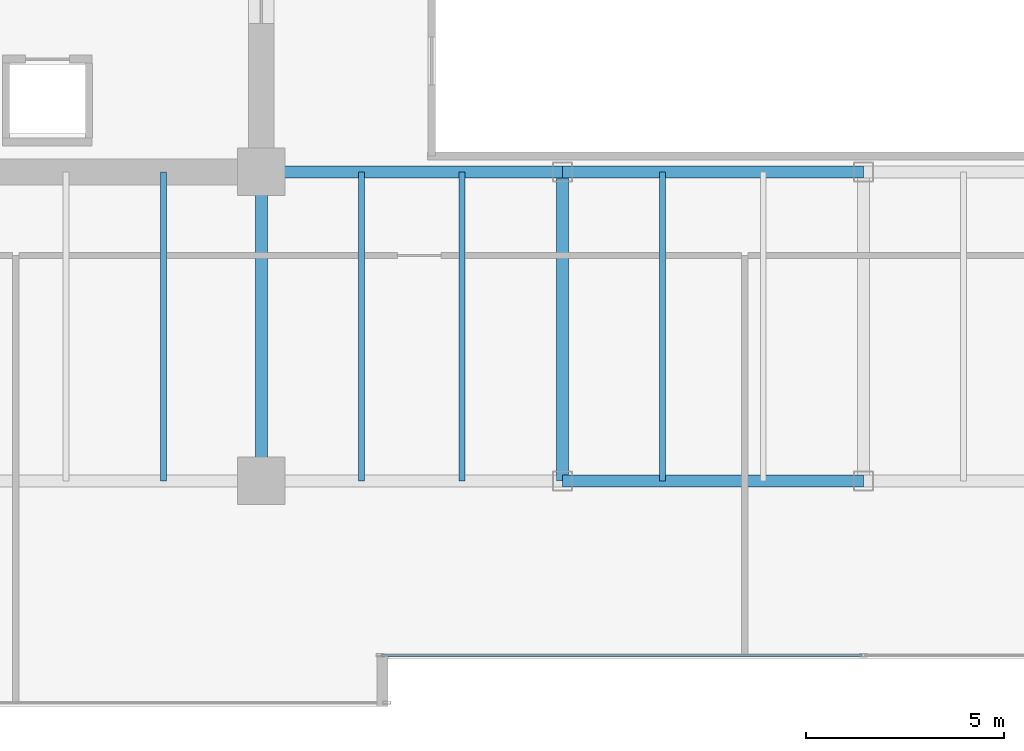
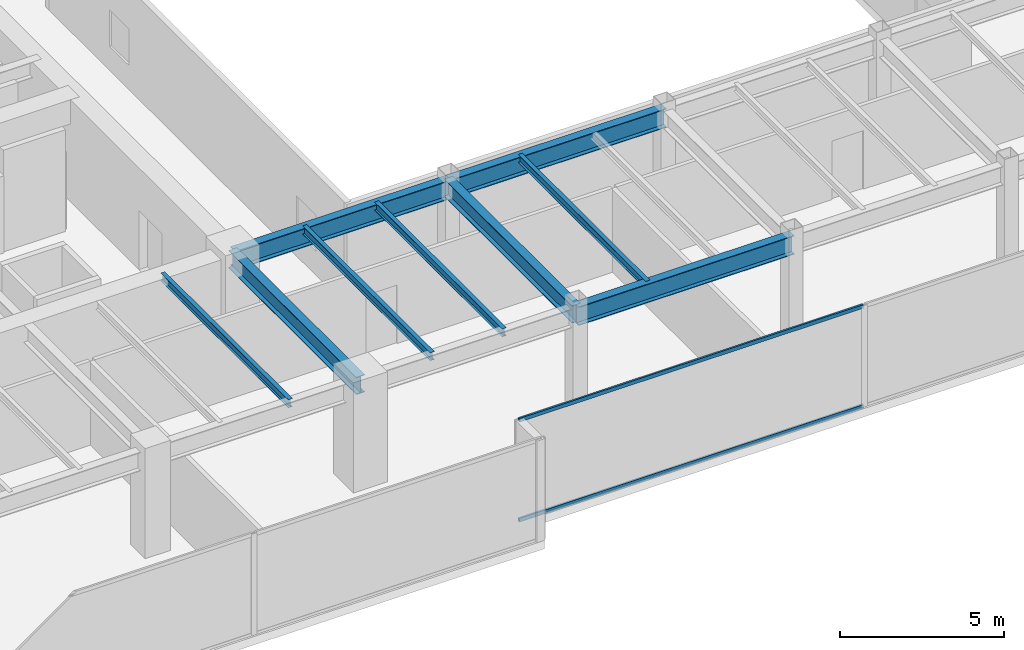
# One storey, part 5 of 30: 9 beams, 2 members, 1 element without a shape of its own.
"""IFC4 building model written with IfcOpenShell, lengths in metres."""

import ifcopenshell
import ifcopenshell.guid

model = None  # the IFC model being written
_history = None  # IfcOwnerHistory: only IFC2X3 demands one
_inside = {}  # id of a spatial element -> (the spatial element, [elements in it])
_under = {}  # id of a project, library or spatial element -> (it, [spatial elements below it])
_declared = {}  # id of a project -> (the project, [libraries it declares])
_typed = {}  # id of a type object -> (the type object, [elements of that type])
_made_of = {}  # id of a material, layer set ... -> (it, [elements and type objects made of it])


def new_model(schema):
    """Start an empty IFC model of exactly this schema.

    Asked for "IFC4X3", IfcOpenShell would pick the latest addendum, in which some entities
    have other attributes; the version numbers below select the first issue.
    IFC2X3 requires an IfcOwnerHistory on every rooted entity: one is made here for all.
    """
    global model, _history
    if schema == "IFC4X3":
        model = ifcopenshell.file(schema_version=(4, 3, 0, 0))
    else:
        model = ifcopenshell.file(schema=schema)
    _inside.clear()
    _under.clear()
    _declared.clear()
    _typed.clear()
    _made_of.clear()
    _history = None
    if model.schema == "IFC2X3":
        org = make("IfcOrganization", Name="unknown")
        user = make(
            "IfcPersonAndOrganization",
            ThePerson=make("IfcPerson", FamilyName="unknown"),
            TheOrganization=org,
        )
        app = make(
            "IfcApplication",
            ApplicationDeveloper=org,
            Version="unknown",
            ApplicationFullName="unknown",
            ApplicationIdentifier="unknown",
        )
        _history = make(
            "IfcOwnerHistory",
            OwningUser=user,
            OwningApplication=app,
            ChangeAction="ADDED",
            CreationDate=0,
        )
    return model


def make(cls, **values):
    """One entity of the class cls with the attributes given. An attribute that is None is left unset."""
    return model.create_entity(
        cls, **{name: value for name, value in values.items() if value is not None}
    )


def rooted(cls, **values):
    """An entity with a GlobalId (a new one), such as an element, a storey or a relation."""
    return make(cls, GlobalId=ifcopenshell.guid.new(), OwnerHistory=_history, **values)


def si_unit(unit_type, name, prefix=None):
    """IfcSIUnit, for example si_unit("LENGTHUNIT", "METRE", prefix="MILLI")."""
    return make("IfcSIUnit", UnitType=unit_type, Prefix=prefix, Name=name)


def assignment(units):
    """IfcUnitAssignment: the units of a project."""
    return None if units is None else make("IfcUnitAssignment", Units=units)


def point(xyz):
    """IfcCartesianPoint."""
    return None if xyz is None else make("IfcCartesianPoint", Coordinates=xyz)


def direction(xyz):
    """IfcDirection."""
    return None if xyz is None else make("IfcDirection", DirectionRatios=xyz)


def frame(location, z_axis=None, x_axis=None):
    """IfcAxis2Placement3D, a coordinate frame: its origin and axes. An axis left out is left unset."""
    return make(
        "IfcAxis2Placement3D",
        Location=point(location),
        Axis=direction(z_axis),
        RefDirection=direction(x_axis),
    )


def frame_2d(location, x_axis=None):
    """IfcAxis2Placement2D, a coordinate frame in the plane: its origin and x axis."""
    return make(
        "IfcAxis2Placement2D", Location=point(location), RefDirection=direction(x_axis)
    )


def origin():
    """The frame at (0, 0, 0) with its axes left unset."""
    return frame((0.0, 0.0, 0.0))


def origin_2d():
    """The frame at (0, 0) in the plane with its x axis left unset."""
    return frame_2d((0.0, 0.0))


def place(relative_to, where):
    """IfcLocalPlacement: puts the frame where relative to a parent placement (None: the world)."""
    return make(
        "IfcLocalPlacement", PlacementRelTo=relative_to, RelativePlacement=where
    )


def context(
    kind, dimensions, precision=None, world=None, true_north=None, identifier=None
):
    """IfcGeometricRepresentationContext, for example the 3D "Model" context."""
    return make(
        "IfcGeometricRepresentationContext",
        ContextIdentifier=identifier,
        ContextType=kind,
        CoordinateSpaceDimension=dimensions,
        Precision=precision,
        WorldCoordinateSystem=world,
        TrueNorth=true_north,
    )


def subcontext(parent, identifier, kind, view, scale=None):
    """IfcGeometricRepresentationSubContext, for example "Body" below "Model"."""
    return make(
        "IfcGeometricRepresentationSubContext",
        ContextIdentifier=identifier,
        ContextType=kind,
        ParentContext=parent,
        TargetScale=scale,
        TargetView=view,
    )


def project(units=None, contexts=None):
    """IfcProject with its units and contexts."""
    return rooted(
        "IfcProject",
        Name="project",
        RepresentationContexts=contexts,
        UnitsInContext=assignment(units),
    )


def spatial(cls, under=None, at=None, **own):
    """A site, building, storey or space (cls), placed at a placement, below another one or the project."""
    s = rooted(cls, ObjectPlacement=at, **own)
    if under is not None:
        _under.setdefault(under.id(), (under, []))[1].append(s)
    return s


def profile(cls, at=None, kind="AREA", **sizes):
    """A parametric profile (cls). Its sizes go by their IFC names, for example OverallWidth=200.0."""
    return make(cls, ProfileType=kind, Position=at, **sizes)


def hollow_rectangle(**sizes):
    """IfcRectangleHollowProfileDef."""
    return profile("IfcRectangleHollowProfileDef", **sizes)


def i_section(**sizes):
    """IfcIShapeProfileDef."""
    return profile("IfcIShapeProfileDef", **sizes)


def extrude(swept, where, along, depth):
    """IfcExtrudedAreaSolid: the profile swept, set in the frame where, extruded along a direction by depth."""
    return make(
        "IfcExtrudedAreaSolid",
        SweptArea=swept,
        Position=where,
        ExtrudedDirection=direction(along),
        Depth=depth,
    )


def shape(context_of_items, identifier, shape_type, items):
    """IfcShapeRepresentation: the items that make up one representation, for example the "Body"."""
    return make(
        "IfcShapeRepresentation",
        ContextOfItems=context_of_items,
        RepresentationIdentifier=identifier,
        RepresentationType=shape_type,
        Items=items,
    )


def source(mapping_origin, context_of_items, identifier, shape_type, items):
    """IfcRepresentationMap: a shape defined once, which mapped items show again and again."""
    return make(
        "IfcRepresentationMap",
        MappingOrigin=mapping_origin,
        MappedRepresentation=shape(context_of_items, identifier, shape_type, items),
    )


def transform(
    local_origin,
    x_axis=None,
    y_axis=None,
    z_axis=None,
    scale=None,
    scale2=None,
    scale3=None,
    uniform=True,
):
    """IfcCartesianTransformationOperator3D, or its non-uniform kind. x_axis, y_axis, z_axis: its Axis1, 2, 3."""
    if uniform:
        return make(
            "IfcCartesianTransformationOperator3D",
            Axis1=direction(x_axis),
            Axis2=direction(y_axis),
            LocalOrigin=point(local_origin),
            Scale=scale,
            Axis3=direction(z_axis),
        )
    return make(
        "IfcCartesianTransformationOperator3DnonUniform",
        Axis1=direction(x_axis),
        Axis2=direction(y_axis),
        LocalOrigin=point(local_origin),
        Scale=scale,
        Axis3=direction(z_axis),
        Scale2=scale2,
        Scale3=scale3,
    )


def mapped(mapping_source, mapping_target):
    """IfcMappedItem: shows the shape of a source again, moved by a transform."""
    return make(
        "IfcMappedItem", MappingSource=mapping_source, MappingTarget=mapping_target
    )


def material(Name=None, Category=None):
    """IfcMaterial."""
    return make("IfcMaterial", Name=Name, Category=Category)


def layer(
    of_material, thickness, ventilated=None, Name=None, Category=None, Priority=None
):
    """IfcMaterialLayer: one layer of a wall or slab, of a material (None: an air gap)."""
    return make(
        "IfcMaterialLayer",
        Material=of_material,
        LayerThickness=thickness,
        IsVentilated=ventilated,
        Name=Name,
        Category=Category,
        Priority=Priority,
    )


def layer_set(layers, Name=None):
    """IfcMaterialLayerSet."""
    return make("IfcMaterialLayerSet", MaterialLayers=layers, LayerSetName=Name)


def material_profile(
    of_material, cross_section, Name=None, Category=None, Priority=None
):
    """IfcMaterialProfile: a cross section and its material."""
    return make(
        "IfcMaterialProfile",
        Name=Name,
        Material=of_material,
        Profile=cross_section,
        Priority=Priority,
        Category=Category,
    )


def profile_set(profiles, Name=None, composite=None):
    """IfcMaterialProfileSet."""
    return make(
        "IfcMaterialProfileSet",
        Name=Name,
        MaterialProfiles=profiles,
        CompositeProfile=composite,
    )


def made_of(thing, what):
    """Note that an element or type object is made of a material, layer set ...; save() writes the relation."""
    if what is not None:
        _made_of.setdefault(what.id(), (what, []))[1].append(thing)
    return thing


def type_object(cls, material=None, **own):
    """A type object (cls), such as IfcWallType, which elements share."""
    return made_of(rooted(cls, **own), material)


def type_shapes(of_type, sources):
    """Give a type object the sources (RepresentationMaps) that its elements show as mapped items."""
    of_type.RepresentationMaps = sources


def element(
    cls,
    number,
    at=None,
    inside=None,
    cuts=None,
    type_object=None,
    material=None,
    context=None,
    identifier="Body",
    shape_type=None,
    held_by="IfcProductDefinitionShape",
    body=None,
    shapes=None,
    **own,
):
    """One element of the class cls, such as IfcWall. Its Tag is "e" and its number.

    at: its placement. inside: the storey or other place that contains it. cuts: it is an
    opening in that element (IfcRelVoidsElement). A single representation is given by context,
    identifier, shape_type and body (its items); several are given by shapes. held_by: the class
    of the entity that holds the representations. save() writes the other relations.
    """
    e = rooted(cls, Tag="e%d" % number, ObjectPlacement=at, **own)
    if body is not None:
        shapes = [shape(context, identifier, shape_type, body)]
    if shapes is not None:
        e.Representation = make(held_by, Representations=shapes)
    if inside is not None:
        _inside.setdefault(inside.id(), (inside, []))[1].append(e)
    if cuts is not None:
        rooted(
            "IfcRelVoidsElement", RelatingBuildingElement=cuts, RelatedOpeningElement=e
        )
    if type_object is not None:
        _typed.setdefault(type_object.id(), (type_object, []))[1].append(e)
    return made_of(e, material)


def aggregate(whole, parts):
    """IfcRelAggregates: a whole, such as a stair, and the parts it consists of."""
    return rooted("IfcRelAggregates", RelatingObject=whole, RelatedObjects=parts)


def save(model, path):
    """Write the relations noted so far, then the file.

    IfcRelAggregates (storeys below a building ...), IfcRelContainedInSpatialStructure (elements
    in a storey), IfcRelDefinesByType, IfcRelAssociatesMaterial and IfcRelDeclares: one each for
    every whole, place, type object, material and project.
    """
    for whole, parts in _under.values():
        aggregate(whole, parts)
    for where, things in _inside.values():
        rooted(
            "IfcRelContainedInSpatialStructure",
            RelatedElements=things,
            RelatingStructure=where,
        )
    for kind, things in _typed.values():
        rooted("IfcRelDefinesByType", RelatedObjects=things, RelatingType=kind)
    for what, things in _made_of.values():
        rooted("IfcRelAssociatesMaterial", RelatedObjects=things, RelatingMaterial=what)
    for by, libraries in _declared.values():
        rooted("IfcRelDeclares", RelatingContext=by, RelatedDefinitions=libraries)
    model.write(path)


model = new_model("IFC4")

# Units and contexts
model_context = context("Model", 3, precision=1e-05, world=origin(), true_north=direction((0.0, 1.0)))
body_context = subcontext(model_context, "Body", "Model", "MODEL_VIEW")
ifc_project = project(units=[si_unit("LENGTHUNIT", "METRE"), si_unit("AREAUNIT", "SQUARE_METRE"), si_unit("VOLUMEUNIT", "CUBIC_METRE"), si_unit("PLANEANGLEUNIT", "RADIAN"), si_unit("MASSUNIT", "GRAM", prefix="KILO")], contexts=[model_context])

# Site, building, storey
site_placement = place(None, origin())
site = spatial("IfcSite", under=ifc_project, at=site_placement, CompositionType="ELEMENT")
building_placement = place(site_placement, origin())
building = spatial("IfcBuilding", under=site, at=building_placement, Name="Haelvirn Gate Laboratories", CompositionType="ELEMENT")
storey_placement = place(building_placement, frame((0.0, 0.0, 121.5)))
storey = spatial("IfcBuildingStorey", under=building, at=storey_placement, Name="L29", CompositionType="ELEMENT", Elevation=121.5)

# Beams
ifc_material_1 = material(Name="Steel SM355", Category="steel")
ifc_material_profile_1 = material_profile(ifc_material_1, i_section(OverallWidth=0.300048828125, OverallDepth=0.64990234375, WebThickness=0.012939453125, FlangeThickness=0.02197265625, at=origin_2d()), Name="H-650x300x13x22")
ifc_profile_set_1 = profile_set([ifc_material_profile_1], Name="Steel SM355")
beam_type_1 = type_object("IfcBeamType", Name="BM-G-650", PredefinedType="BEAM", material=ifc_profile_set_1)
shared_shape_1 = source(origin(), body_context, "Body", "SweptSolid", [
    extrude(i_section(OverallWidth=0.300048828125, OverallDepth=0.64990234375, WebThickness=0.012939453125, FlangeThickness=0.02197265625, at=origin_2d()), origin(), (0.0, 0.0, 1.0), 7.800048828125),
])
type_shapes(beam_type_1, [shared_shape_1])
for number, where, z_axis, x_axis, name in (
    (1, (22.199951171875, 7.0, 3.465087890625), (0.0, 1.0, 0.0), (-1.0, 0.0, 0.0), "L29 Frame Girder X22.2 (7.0-14.8)"),
    (2, (29.800048828125, 7.0, 3.465087890625), (0.0, 1.0, 0.0), (-1.0, 0.0, 0.0), "L29 Frame Girder X29.8 (7.0-14.8)"),
):
    element("IfcBeam", number, at=place(storey_placement, frame(where, z_axis=z_axis, x_axis=x_axis)), inside=storey, type_object=beam_type_1, Name=name, PredefinedType="BEAM", context=body_context, shape_type="MappedRepresentation", body=[
        mapped(shared_shape_1, transform((0.0, 0.0, 0.0), scale=1.0)),
    ])
ifc_material_profile_2 = material_profile(ifc_material_1, i_section(OverallWidth=0.300048828125, OverallDepth=0.699951171875, WebThickness=0.012939453125, FlangeThickness=0.02392578125, at=origin_2d()), Name="H-700x300x13x24")
ifc_profile_set_2 = profile_set([ifc_material_profile_2], Name="Steel SM355")
beam_type_2 = type_object("IfcBeamType", Name="BM-G-700", PredefinedType="BEAM", material=ifc_profile_set_2)
shared_shape_2 = source(origin(), body_context, "Body", "SweptSolid", [
    extrude(i_section(OverallWidth=0.300048828125, OverallDepth=0.699951171875, WebThickness=0.012939453125, FlangeThickness=0.02392578125, at=origin_2d()), origin(), (0.0, 0.0, 1.0), 7.60009765625),
])
beam_placement = place(storey_placement, frame((22.199951171875, 14.800048828125, 3.43994140625), z_axis=(1.0, 0.0, 0.0), x_axis=(0.0, 1.0, 0.0)))
element("IfcBeam", 3, at=beam_placement, inside=storey, type_object=beam_type_2, Name="L29 Primary Girder Y14.8 (22.2-29.8)", PredefinedType="BEAM", context=body_context, shape_type="MappedRepresentation", body=[
    mapped(shared_shape_2, transform((0.0, 0.0, 0.0), scale=1.0)),
])
shared_shape_3 = source(origin(), body_context, "Body", "SweptSolid", [
    extrude(i_section(OverallWidth=0.300048828125, OverallDepth=0.699951171875, WebThickness=0.012939453125, FlangeThickness=0.02392578125, at=origin_2d()), origin(), (0.0, 0.0, 1.0), 7.599853515625),
])
type_shapes(beam_type_2, [shared_shape_2, shared_shape_3])
for number, where, z_axis, x_axis, name in (
    (4, (29.800048828125, 7.0, 3.43994140625), (1.0, 0.0, 0.0), (0.0, 1.0, 0.0), "L29 Primary Girder Y7.0 (29.8-37.4)"),
    (5, (29.800048828125, 14.800048828125, 3.43994140625), (1.0, 0.0, 0.0), (0.0, 1.0, 0.0), "L29 Primary Girder Y14.8 (29.8-37.4)"),
):
    element("IfcBeam", number, at=place(storey_placement, frame(where, z_axis=z_axis, x_axis=x_axis)), inside=storey, type_object=beam_type_2, Name=name, PredefinedType="BEAM", context=body_context, shape_type="MappedRepresentation", body=[
        mapped(shared_shape_3, transform((0.0, 0.0, 0.0), scale=1.0)),
    ])
ifc_material_profile_3 = material_profile(ifc_material_1, i_section(OverallWidth=0.14990234375, OverallDepth=0.300048828125, WebThickness=0.006591796875, FlangeThickness=0.009033203125, at=origin_2d()), Name="H-300x150x6.5x9")
ifc_profile_set_3 = profile_set([ifc_material_profile_3], Name="Steel SM355")
beam_type_3 = type_object("IfcBeamType", Name="BM-J-300", PredefinedType="JOIST", material=ifc_profile_set_3)
shared_shape_4 = source(origin(), body_context, "Body", "SweptSolid", [
    extrude(i_section(OverallWidth=0.14990234375, OverallDepth=0.300048828125, WebThickness=0.006591796875, FlangeThickness=0.009033203125, at=origin_2d()), origin(), (0.0, 0.0, 1.0), 7.800048828125),
])
type_shapes(beam_type_3, [shared_shape_4])
for number, where, z_axis, x_axis, name in (
    (6, (19.72998046875, 7.0, 3.639892578125), (0.0, 1.0, 0.0), (-1.0, 0.0, 0.0), "L29 Composite Lab Joist South X19.73"),
    (7, (24.72998046875, 7.0, 3.639892578125), (0.0, 1.0, 0.0), (-1.0, 0.0, 0.0), "L29 Composite Lab Joist South X24.73"),
    (8, (27.27001953125, 7.0, 3.639892578125), (0.0, 1.0, 0.0), (-1.0, 0.0, 0.0), "L29 Composite Lab Joist South X27.27"),
    (9, (32.330078125, 7.0, 3.639892578125), (0.0, 1.0, 0.0), (-1.0, 0.0, 0.0), "L29 Composite Lab Joist South X32.33"),
):
    element("IfcBeam", number, at=place(storey_placement, frame(where, z_axis=z_axis, x_axis=x_axis)), inside=storey, type_object=beam_type_3, Name=name, PredefinedType="JOIST", context=body_context, shape_type="MappedRepresentation", body=[
        mapped(shared_shape_4, transform((0.0, 0.0, 0.0), scale=1.0)),
    ])

# Curtain wall, members
ifc_material_2 = material(Name="Anodised bronze unitised aluminium & triple low-E glass", Category="aluminium")
ifc_layer = layer(ifc_material_2, 0.179931640625, Name="CW-SYS-3")
ifc_layer_set = layer_set([ifc_layer], Name="Anodised bronze unitised aluminium & triple low-E glass")
curtain_wall_type = type_object("IfcCurtainWallType", Name="CW-SYS-3", PredefinedType="NOTDEFINED", material=ifc_layer_set)
curtain_wall_placement = place(storey_placement, origin())
curtain_wall = element("IfcCurtainWall", 10, at=curtain_wall_placement, inside=storey, type_object=curtain_wall_type, Name="L29 Unitised Curtain Wall CW-L29-P0-E02-1", PredefinedType="NOTDEFINED")
ifc_material_3 = material(Name="Extruded aluminium 6063-T6 (anodised bronze)", Category="aluminium")
ifc_material_profile_4 = material_profile(ifc_material_3, hollow_rectangle(XDim=0.06494140625, YDim=0.139892578125, WallThickness=0.00390625, at=origin_2d()), Name="CWT-140x65x4")
ifc_profile_set_4 = profile_set([ifc_material_profile_4], Name="Extruded aluminium 6063-T6 (anodised bronze)")
member_type = type_object("IfcMemberType", Name="CWT-T140", PredefinedType="USERDEFINED", material=ifc_profile_set_4)
shared_shape_5 = source(origin(), body_context, "Body", "SweptSolid", [
    extrude(hollow_rectangle(XDim=0.06494140625, YDim=0.139892578125, WallThickness=0.00390625, at=origin_2d()), origin(), (0.0, 0.0, 1.0), 12.12744140625),
])
type_shapes(member_type, [shared_shape_5])
member_1_placement = place(storey_placement, frame((25.235107421875, 2.60009765625, 0.032470703125), z_axis=(1.0, 0.0, 0.0), x_axis=(0.0, 1.0, 0.0)))
member_1 = element("IfcMember", 11, at=member_1_placement, type_object=member_type, Name="CW3 transom 1.1", ObjectType="TRANSOM", PredefinedType="USERDEFINED", context=body_context, shape_type="MappedRepresentation", body=[
    mapped(shared_shape_5, transform((0.0, 0.0, 0.0), scale=1.0)),
])
member_2_placement = place(storey_placement, frame((25.235107421875, 2.60009765625, 3.757568359375), z_axis=(1.0, 0.0, 0.0), x_axis=(0.0, 1.0, 0.0)))
member_2 = element("IfcMember", 12, at=member_2_placement, type_object=member_type, Name="CW3 transom 1.2", ObjectType="TRANSOM", PredefinedType="USERDEFINED", context=body_context, shape_type="MappedRepresentation", body=[
    mapped(shared_shape_5, transform((0.0, 0.0, 0.0), scale=1.0)),
])
aggregate(curtain_wall, [member_1, member_2])

save(model, "model.ifc")
